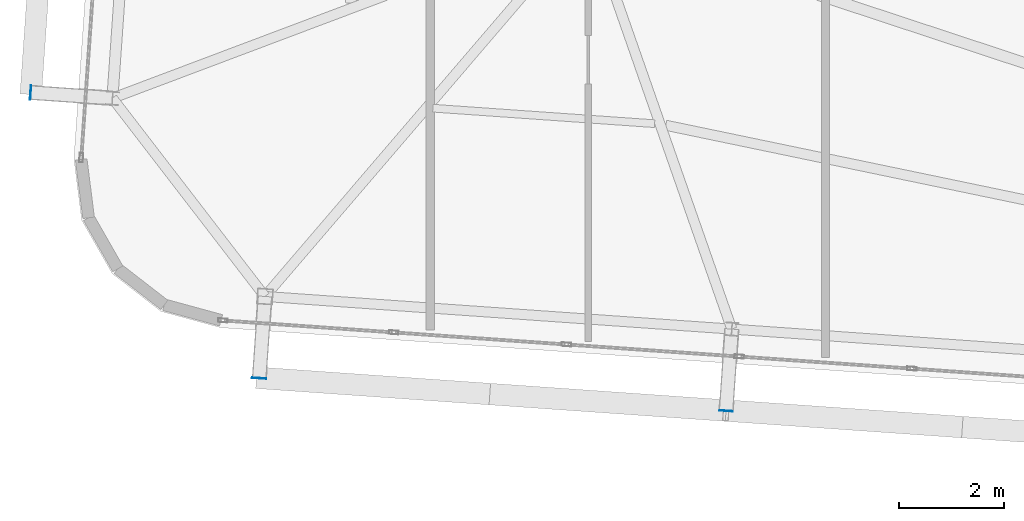
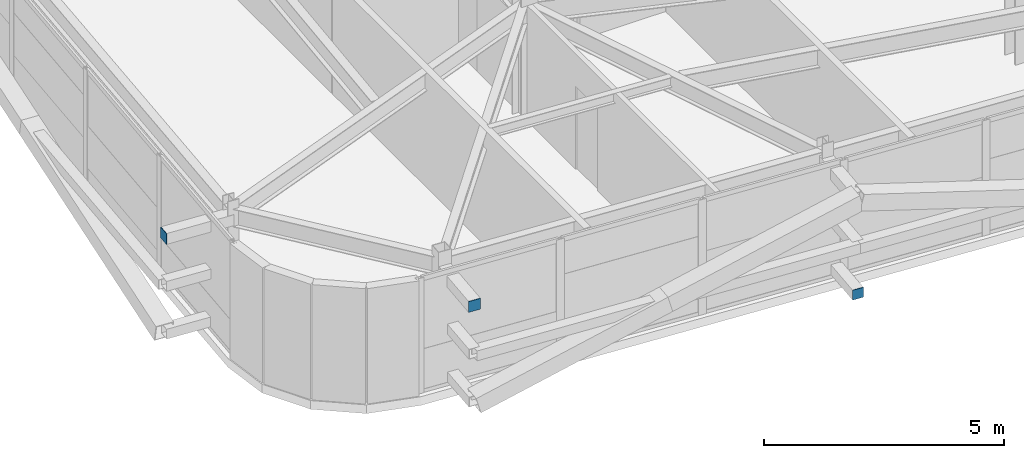
# One storey, part 33 of 47: 3 plates.
"""IFC4 building model written with IfcOpenShell, lengths in metres."""

from ifc_helpers import new_model, si_unit, direction, frame, origin, origin_2d, place, context, subcontext, project, spatial, rectangle, extrude, source, transform, mapped, material, layer, layer_set, type_object, element, save


model = new_model("IFC4")

# Units and contexts
model_context = context("Model", 3, precision=1e-05, world=origin(), true_north=direction((0.0, 1.0)))
body_context = subcontext(model_context, "Body", "Model", "MODEL_VIEW")
ifc_project = project(units=[si_unit("LENGTHUNIT", "METRE"), si_unit("AREAUNIT", "SQUARE_METRE"), si_unit("VOLUMEUNIT", "CUBIC_METRE"), si_unit("PLANEANGLEUNIT", "RADIAN"), si_unit("MASSUNIT", "GRAM", prefix="KILO")], contexts=[model_context])

# Site, building, storey
site_placement = place(None, origin())
site = spatial("IfcSite", under=ifc_project, at=site_placement, CompositionType="ELEMENT")
building_placement = place(site_placement, origin())
building = spatial("IfcBuilding", under=site, at=building_placement, Name="Taldren Reach Tower", CompositionType="ELEMENT")
storey_placement = place(building_placement, frame((0.0, 0.0, 139.300048828125)))
storey = spatial("IfcBuildingStorey", under=building, at=storey_placement, Name="L42", CompositionType="ELEMENT", Elevation=139.300048828125)

# Plates
ifc_material_1 = material(Name="Steel Gr 450 (C450L0)", Category="steel")
ifc_layer_1 = layer(ifc_material_1, 0.011962890625)
ifc_layer_set_1 = layer_set([ifc_layer_1], Name="Steel Gr 450 (C450L0)")
plate_type_1 = type_object("IfcPlateType", Name="PL-CAP-275", PredefinedType="SHEET", material=ifc_layer_set_1)
shared_shape_1 = source(origin(), body_context, "Body", "SweptSolid", [
    extrude(rectangle(XDim=0.27490234375, YDim=0.011962890625, at=origin_2d()), origin(), (0.0, 0.0, 1.0), 0.27490234375),
])
plate_1_placement = place(storey_placement, frame((11.755126953125, 3.7861328125, 2.512451171875), z_axis=(0.0, 0.0, 1.0), x_axis=(0.99756405026, -0.069756473744, 0.0)))
element("IfcPlate", 1, at=plate_1_placement, inside=storey, type_object=plate_type_1, Name="Tie strut end cap plate B3-S1 L42", PredefinedType="SHEET", context=body_context, shape_type="MappedRepresentation", body=[
    mapped(shared_shape_1, transform((0.0, 0.0, 0.0), scale=1.0)),
])
shared_shape_2 = source(origin(), body_context, "Body", "SweptSolid", [
    extrude(rectangle(XDim=0.011962890625, YDim=0.27490234375, at=origin_2d()), origin(), (0.0, 0.0, 1.0), 0.27490234375),
])
plate_2_placement = place(storey_placement, frame((7.416748046875, 9.2080078125, 2.512451171875), z_axis=(0.0, 0.0, 1.0), x_axis=(0.99756405026, -0.069756473744, 0.0)))
element("IfcPlate", 2, at=plate_2_placement, inside=storey, type_object=plate_type_1, Name="Tie strut end cap plate B3-W1 L42", PredefinedType="SHEET", context=body_context, shape_type="MappedRepresentation", body=[
    mapped(shared_shape_2, transform((0.0, 0.0, 0.0), scale=1.0)),
])
ifc_material_2 = material(Name="Steel Gr 350 (C350L0)", Category="steel")
ifc_layer_2 = layer(ifc_material_2, 0.011962890625)
ifc_layer_set_2 = layer_set([ifc_layer_2], Name="Steel Gr 350 (C350L0)")
plate_type_2 = type_object("IfcPlateType", Name="PL-CAP-250", PredefinedType="SHEET", material=ifc_layer_set_2)
shared_shape_3 = source(origin(), body_context, "Body", "SweptSolid", [
    extrude(rectangle(XDim=0.25, YDim=0.011962890625, at=origin_2d()), origin(), (0.0, 0.0, 1.0), 0.25),
])
plate_3_placement = place(storey_placement, frame((20.61328125, 3.166748046875, 0.094970703125), z_axis=(0.0, 0.0, 1.0), x_axis=(0.99756405026, -0.069756473744, 0.0)))
element("IfcPlate", 3, at=plate_3_placement, inside=storey, type_object=plate_type_2, Name="Tie strut end cap plate B3-S2 L42", PredefinedType="SHEET", context=body_context, shape_type="MappedRepresentation", body=[
    mapped(shared_shape_3, transform((0.0, 0.0, 0.0), scale=1.0)),
])

save(model, "model.ifc")
